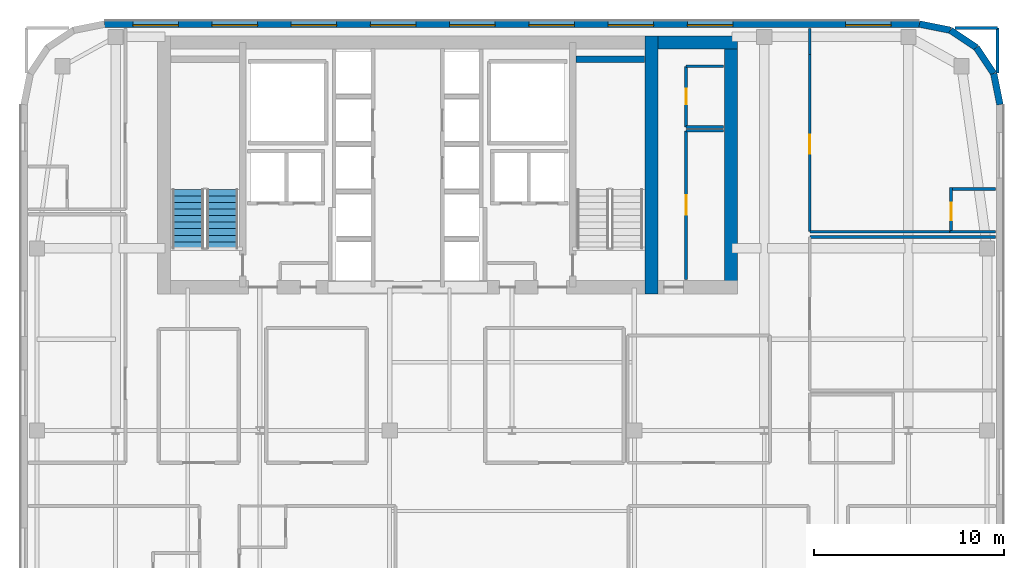
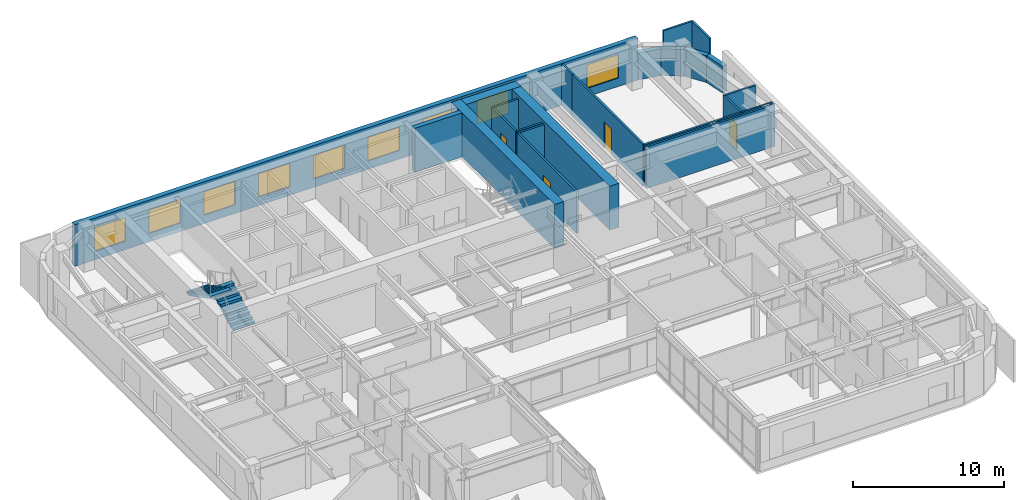
# One storey, part 14 of 20: 23 walls, 9 windows, 4 doors, 2 stair flights, 13 openings, 1 element without a shape of its own.
"""IFC4 building model written with IfcOpenShell, lengths in metres."""

from ifc_helpers import new_model, si_unit, direction, frame, frame_2d, origin, place, context, subcontext, project, spatial, polyline, rectangle, outline, extrude, source, transform, mapped, material, layer, layer_set, type_object, type_shapes, element, fill, aggregate, save


model = new_model("IFC4")

# Units and contexts
model_context = context("Model", 3, precision=1e-05, world=origin(), true_north=direction((0.0, 1.0)))
body_context = subcontext(model_context, "Body", "Model", "MODEL_VIEW")
ifc_project = project(units=[si_unit("LENGTHUNIT", "METRE"), si_unit("AREAUNIT", "SQUARE_METRE"), si_unit("VOLUMEUNIT", "CUBIC_METRE"), si_unit("PLANEANGLEUNIT", "RADIAN"), si_unit("MASSUNIT", "GRAM", prefix="KILO")], contexts=[model_context])

# Site, building, storey
site_placement = place(None, origin())
site = spatial("IfcSite", under=ifc_project, at=site_placement, CompositionType="ELEMENT")
building_placement = place(site_placement, origin())
building = spatial("IfcBuilding", under=site, at=building_placement, Name="Tolvann Quenvar Hotel", CompositionType="ELEMENT")
storey_placement = place(building_placement, frame((0.0, 0.0, 191.10009765625)))
storey = spatial("IfcBuildingStorey", under=building, at=storey_placement, Name="L50", CompositionType="ELEMENT", Elevation=191.10009765625)

# Walls
ifc_material_1 = material(Name="Concrete S65 (65 MPa)", Category="concrete")
ifc_layer_1 = layer(ifc_material_1, 0.699951171875)
ifc_layer_set_1 = layer_set([ifc_layer_1], Name="Concrete S65 (65 MPa)")
wall_type_1 = type_object("IfcWallType", Name="WALL_CORE_700", PredefinedType="SHEAR", material=ifc_layer_set_1)
wall_1_placement = place(storey_placement, frame((35.85009765625, 31.60009765625, 0.0), z_axis=(0.0, 0.0, 1.0), x_axis=(0.0, 1.0, 0.0)))
element("IfcWall", 1, at=wall_1_placement, inside=storey, type_object=wall_type_1, Name="Rear Core E Shear Wall (L50)", PredefinedType="SHEAR", context=body_context, shape_type="SweptSolid", body=[
    extrude(rectangle(XDim=13.599853515625, YDim=0.699951171875, at=frame_2d((6.7998046875, 0.0))), origin(), (0.0, 0.0, 1.0), 3.5498046875),
])
wall_2_placement = place(storey_placement, frame((36.199951171875, 44.85009765625, 0.0), z_axis=(0.0, 0.0, 1.0), x_axis=(1.0, 0.0, 0.0)))
element("IfcWall", 2, at=wall_2_placement, inside=storey, type_object=wall_type_1, Name="Core East Annex Shear Wall ANN-N (L50)", PredefinedType="SHEAR", context=body_context, shape_type="SweptSolid", body=[
    extrude(rectangle(XDim=4.199951171875, YDim=0.699951171875, at=frame_2d((2.10009765625, 0.0))), origin(), (0.0, 0.0, 1.0), 3.5498046875),
])
wall_3_placement = place(storey_placement, frame((40.050048828125, 31.60009765625, 0.0), z_axis=(0.0, 0.0, 1.0), x_axis=(0.0, 1.0, 0.0)))
element("IfcWall", 3, at=wall_3_placement, inside=storey, type_object=wall_type_1, Name="Core East Annex Shear Wall ANN-E (L50)", PredefinedType="SHEAR", context=body_context, shape_type="SweptSolid", body=[
    extrude(rectangle(XDim=13.599853515625, YDim=0.699951171875, at=frame_2d((6.7998046875, 0.0))), origin(), (0.0, 0.0, 1.0), 3.5498046875),
])
ifc_layer_2 = layer(ifc_material_1, 0.35009765625)
ifc_layer_set_2 = layer_set([ifc_layer_2], Name="Concrete S65 (65 MPa)")
wall_type_2 = type_object("IfcWallType", Name="WALL_CORE_INT_350", PredefinedType="SHEAR", material=ifc_layer_set_2)
wall_4_placement = place(storey_placement, frame((31.8798828125, 43.97509765625, 0.0), z_axis=(0.0, 0.0, 1.0), x_axis=(1.0, 0.0, 0.0)))
element("IfcWall", 4, at=wall_4_placement, inside=storey, type_object=wall_type_2, Name="Core Stair North Closing Shear Wall STC2-N (L50)", PredefinedType="SHEAR", context=body_context, shape_type="SweptSolid", body=[
    extrude(rectangle(XDim=3.60009765625, YDim=0.35009765625, at=frame_2d((1.800048828125, 0.0))), origin(), (0.0, 0.0, 1.0), 3.5498046875),
])
ifc_material_2 = material(Name="Kiln-fired red and buff architectural clay brickwork and terracotta masonry", Category="masonry")
ifc_layer_3 = layer(ifc_material_2, 0.35009765625)
ifc_layer_set_3 = layer_set([ifc_layer_3], Name="Kiln-fired red and buff architectural clay brickwork and terracotta masonry")
wall_type_3 = type_object("IfcWallType", Name="WALL_EXT_BRICK_350", PredefinedType="SOLIDWALL", material=ifc_layer_set_3)
wall_5_placement = place(storey_placement, frame((54.22509765625, 41.582763671875, 0.0), z_axis=(0.0, 0.0, 1.0), x_axis=(-0.195044345786, 0.980794424524, 0.0)))
element("IfcWall", 5, at=wall_5_placement, inside=storey, type_object=wall_type_3, Name="Exterior Chicago Brick Wall L50-E14", PredefinedType="SOLIDWALL", context=body_context, shape_type="SweptSolid", body=[
    extrude(rectangle(XDim=1.664794921875, YDim=0.35009765625, at=frame_2d((0.83251953125, 0.0))), origin(), (0.0, 0.0, 1.0), 2.159912109375),
])
for number, where, z_axis, x_axis, name in (
    (6, (53.900390625, 43.215576171875, 0.0), (0.0, 0.0, 1.0), (-0.555623290322, 0.831434158098, 0.0), "Exterior Chicago Brick Wall L50-E15"),
    (7, (52.985107421875, 44.585205078125, 0.0), (0.0, 0.0, 1.0), (-0.831502623162, 0.555520825599, 0.0), "Exterior Chicago Brick Wall L50-E16"),
):
    element("IfcWall", number, at=place(storey_placement, frame(where, z_axis=z_axis, x_axis=x_axis)), inside=storey, type_object=wall_type_3, Name=name, PredefinedType="SOLIDWALL", context=body_context, shape_type="SweptSolid", body=[
        extrude(rectangle(XDim=1.647216796875, YDim=0.35009765625, at=frame_2d((0.82373046875, 0.0))), origin(), (0.0, 0.0, 1.0), 2.159912109375),
    ])
wall_6_placement = place(storey_placement, frame((51.615478515625, 45.500244140625, 0.0), z_axis=(0.0, 0.0, 1.0), x_axis=(-0.980788844421, 0.195072403631, 0.0)))
element("IfcWall", 8, at=wall_6_placement, inside=storey, type_object=wall_type_3, Name="Exterior Chicago Brick Wall L50-E17", PredefinedType="SOLIDWALL", context=body_context, shape_type="SweptSolid", body=[
    extrude(rectangle(XDim=1.66455078125, YDim=0.35009765625, at=frame_2d((0.832275390625, 0.0))), origin(), (0.0, 0.0, 1.0), 2.159912109375),
])

# Wall, openings, windows
wall_7_placement = place(storey_placement, frame((49.98291015625, 45.824951171875, 0.0), z_axis=(0.0, 0.0, 1.0), x_axis=(-1.0, 0.0, 0.0)))
wall_7 = element("IfcWall", 9, at=wall_7_placement, inside=storey, type_object=wall_type_3, Name="Exterior Chicago Brick Wall L50-E18", PredefinedType="SOLIDWALL", context=body_context, shape_type="SweptSolid", body=[
    extrude(rectangle(XDim=42.9658203125, YDim=0.35009765625, at=frame_2d((21.48291015625, 0.0))), origin(), (0.0, 0.0, 1.0), 3.369873046875),
])
opening_1_placement = place(wall_7_placement, frame((1.488037109375, 0.0, 0.679931640625)))
opening_1 = element("IfcOpeningElement", 10, at=opening_1_placement, cuts=wall_7, Name="Opening W-01", PredefinedType="OPENING", context=body_context, shape_type="SweptSolid", body=[
    extrude(rectangle(XDim=2.39990234375, YDim=1.89990234375, at=frame_2d((1.199951171875, 0.949951171875))), frame((0.0, 0.18505859375, 0.0), z_axis=(0.0, -1.0, 0.0), x_axis=(1.0, 0.0, 0.0)), (0.0, 0.0, 1.0), 0.3701171875),
])
opening_2_placement = place(wall_7_placement, frame((9.841064453125, 0.0, 0.679931640625)))
opening_2 = element("IfcOpeningElement", 11, at=opening_2_placement, cuts=wall_7, Name="Opening W-01", PredefinedType="OPENING", context=body_context, shape_type="SweptSolid", body=[
    extrude(rectangle(XDim=2.39990234375, YDim=1.89990234375, at=frame_2d((1.199951171875, 0.949951171875))), frame((0.0, 0.18505859375, 0.0), z_axis=(0.0, -1.0, 0.0), x_axis=(1.0, 0.0, 0.0)), (0.0, 0.0, 1.0), 0.3701171875),
])
opening_3_placement = place(wall_7_placement, frame((14.01806640625, 0.0, 0.679931640625)))
opening_3 = element("IfcOpeningElement", 12, at=opening_3_placement, cuts=wall_7, Name="Opening W-01", PredefinedType="OPENING", context=body_context, shape_type="SweptSolid", body=[
    extrude(rectangle(XDim=2.39990234375, YDim=1.89990234375, at=frame_2d((1.199951171875, 0.949951171875))), frame((0.0, 0.18505859375, 0.0), z_axis=(0.0, -1.0, 0.0), x_axis=(1.0, 0.0, 0.0)), (0.0, 0.0, 1.0), 0.3701171875),
])
opening_4_placement = place(wall_7_placement, frame((18.195068359375, 0.0, 0.679931640625)))
opening_4 = element("IfcOpeningElement", 13, at=opening_4_placement, cuts=wall_7, Name="Opening W-01", PredefinedType="OPENING", context=body_context, shape_type="SweptSolid", body=[
    extrude(rectangle(XDim=2.39990234375, YDim=1.89990234375, at=frame_2d((1.199951171875, 0.949951171875))), frame((0.0, 0.18505859375, 0.0), z_axis=(0.0, -1.0, 0.0), x_axis=(1.0, 0.0, 0.0)), (0.0, 0.0, 1.0), 0.3701171875),
])
opening_5_placement = place(wall_7_placement, frame((22.37109375, 0.0, 0.679931640625)))
opening_5 = element("IfcOpeningElement", 14, at=opening_5_placement, cuts=wall_7, Name="Opening W-01", PredefinedType="OPENING", context=body_context, shape_type="SweptSolid", body=[
    extrude(rectangle(XDim=2.39990234375, YDim=1.89990234375, at=frame_2d((1.199951171875, 0.949951171875))), frame((0.0, 0.18505859375, 0.0), z_axis=(0.0, -1.0, 0.0), x_axis=(1.0, 0.0, 0.0)), (0.0, 0.0, 1.0), 0.3701171875),
])
opening_6_placement = place(wall_7_placement, frame((26.548095703125, 0.0, 0.679931640625)))
opening_6 = element("IfcOpeningElement", 15, at=opening_6_placement, cuts=wall_7, Name="Opening W-01", PredefinedType="OPENING", context=body_context, shape_type="SweptSolid", body=[
    extrude(rectangle(XDim=2.39990234375, YDim=1.89990234375, at=frame_2d((1.199951171875, 0.949951171875))), frame((0.0, 0.18505859375, 0.0), z_axis=(0.0, -1.0, 0.0), x_axis=(1.0, 0.0, 0.0)), (0.0, 0.0, 1.0), 0.3701171875),
])
opening_7_placement = place(wall_7_placement, frame((30.72412109375, 0.0, 0.679931640625)))
opening_7 = element("IfcOpeningElement", 16, at=opening_7_placement, cuts=wall_7, Name="Opening W-01", PredefinedType="OPENING", context=body_context, shape_type="SweptSolid", body=[
    extrude(rectangle(XDim=2.39990234375, YDim=1.89990234375, at=frame_2d((1.199951171875, 0.949951171875))), frame((0.0, 0.18505859375, 0.0), z_axis=(0.0, -1.0, 0.0), x_axis=(1.0, 0.0, 0.0)), (0.0, 0.0, 1.0), 0.3701171875),
])
opening_8_placement = place(wall_7_placement, frame((34.90087890625, 0.0, 0.679931640625)))
opening_8 = element("IfcOpeningElement", 17, at=opening_8_placement, cuts=wall_7, Name="Opening W-01", PredefinedType="OPENING", context=body_context, shape_type="SweptSolid", body=[
    extrude(rectangle(XDim=2.39990234375, YDim=1.89990234375, at=frame_2d((1.199951171875, 0.949951171875))), frame((0.0, 0.18505859375, 0.0), z_axis=(0.0, -1.0, 0.0), x_axis=(1.0, 0.0, 0.0)), (0.0, 0.0, 1.0), 0.3701171875),
])
opening_9_placement = place(wall_7_placement, frame((39.076904296875, 0.0, 0.679931640625)))
opening_9 = element("IfcOpeningElement", 18, at=opening_9_placement, cuts=wall_7, Name="Opening W-01", PredefinedType="OPENING", context=body_context, shape_type="SweptSolid", body=[
    extrude(rectangle(XDim=2.39990234375, YDim=1.89990234375, at=frame_2d((1.199951171875, 0.949951171875))), frame((0.0, 0.18505859375, 0.0), z_axis=(0.0, -1.0, 0.0), x_axis=(1.0, 0.0, 0.0)), (0.0, 0.0, 1.0), 0.3701171875),
])
ifc_material_3 = material(Name="Thermally broken bronze-anodised aluminium frame with double low-E glazing", Category="aluminium")
window_type = type_object("IfcWindowType", Name="WIN_CHI_2400x2050", PartitioningType="TRIPLE_PANEL_HORIZONTAL", PredefinedType="WINDOW", material=ifc_material_3)
shared_shape_1 = source(origin(), body_context, "Body", "SweptSolid", [
    extrude(rectangle(XDim=2.39990234375, YDim=1.89990234375, at=frame_2d((1.199951171875, 0.949951171875))), frame((0.0, 0.090087890625, 0.0), z_axis=(0.0, -1.0, 0.0), x_axis=(1.0, 0.0, 0.0)), (0.0, 0.0, 1.0), 0.06005859375),
])
type_shapes(window_type, [shared_shape_1])
window_1_placement = place(opening_1_placement, origin())
window_1 = element("IfcWindow", 19, at=window_1_placement, inside=storey, type_object=window_type, Name="Chicago Window W-01 (EW-L50-E18-W01)", OverallHeight=1.89990234375, OverallWidth=2.39990234375, PartitioningType="TRIPLE_PANEL_HORIZONTAL", PredefinedType="WINDOW", context=body_context, shape_type="MappedRepresentation", body=[
    mapped(shared_shape_1, transform((0.0, 0.0, 0.0), x_axis=(1.0, 0.0, 0.0), y_axis=(0.0, 1.0, 0.0), z_axis=(0.0, 0.0, 1.0), scale=1.0)),
])
fill(opening_1, window_1)
window_2_placement = place(opening_2_placement, origin())
window_2 = element("IfcWindow", 20, at=window_2_placement, inside=storey, type_object=window_type, Name="Chicago Window W-01 (EW-L50-E18-W02)", OverallHeight=1.89990234375, OverallWidth=2.39990234375, PartitioningType="TRIPLE_PANEL_HORIZONTAL", PredefinedType="WINDOW", context=body_context, shape_type="MappedRepresentation", body=[
    mapped(shared_shape_1, transform((0.0, 0.0, 0.0), x_axis=(1.0, 0.0, 0.0), y_axis=(0.0, 1.0, 0.0), z_axis=(0.0, 0.0, 1.0), scale=1.0)),
])
fill(opening_2, window_2)
window_3_placement = place(opening_3_placement, origin())
window_3 = element("IfcWindow", 21, at=window_3_placement, inside=storey, type_object=window_type, Name="Chicago Window W-01 (EW-L50-E18-W03)", OverallHeight=1.89990234375, OverallWidth=2.39990234375, PartitioningType="TRIPLE_PANEL_HORIZONTAL", PredefinedType="WINDOW", context=body_context, shape_type="MappedRepresentation", body=[
    mapped(shared_shape_1, transform((0.0, 0.0, 0.0), x_axis=(1.0, 0.0, 0.0), y_axis=(0.0, 1.0, 0.0), z_axis=(0.0, 0.0, 1.0), scale=1.0)),
])
fill(opening_3, window_3)
window_4_placement = place(opening_4_placement, origin())
window_4 = element("IfcWindow", 22, at=window_4_placement, inside=storey, type_object=window_type, Name="Chicago Window W-01 (EW-L50-E18-W04)", OverallHeight=1.89990234375, OverallWidth=2.39990234375, PartitioningType="TRIPLE_PANEL_HORIZONTAL", PredefinedType="WINDOW", context=body_context, shape_type="MappedRepresentation", body=[
    mapped(shared_shape_1, transform((0.0, 0.0, 0.0), x_axis=(1.0, 0.0, 0.0), y_axis=(0.0, 1.0, 0.0), z_axis=(0.0, 0.0, 1.0), scale=1.0)),
])
fill(opening_4, window_4)
window_5_placement = place(opening_5_placement, origin())
window_5 = element("IfcWindow", 23, at=window_5_placement, inside=storey, type_object=window_type, Name="Chicago Window W-01 (EW-L50-E18-W05)", OverallHeight=1.89990234375, OverallWidth=2.39990234375, PartitioningType="TRIPLE_PANEL_HORIZONTAL", PredefinedType="WINDOW", context=body_context, shape_type="MappedRepresentation", body=[
    mapped(shared_shape_1, transform((0.0, 0.0, 0.0), x_axis=(1.0, 0.0, 0.0), y_axis=(0.0, 1.0, 0.0), z_axis=(0.0, 0.0, 1.0), scale=1.0)),
])
fill(opening_5, window_5)
window_6_placement = place(opening_6_placement, origin())
window_6 = element("IfcWindow", 24, at=window_6_placement, inside=storey, type_object=window_type, Name="Chicago Window W-01 (EW-L50-E18-W06)", OverallHeight=1.89990234375, OverallWidth=2.39990234375, PartitioningType="TRIPLE_PANEL_HORIZONTAL", PredefinedType="WINDOW", context=body_context, shape_type="MappedRepresentation", body=[
    mapped(shared_shape_1, transform((0.0, 0.0, 0.0), x_axis=(1.0, 0.0, 0.0), y_axis=(0.0, 1.0, 0.0), z_axis=(0.0, 0.0, 1.0), scale=1.0)),
])
fill(opening_6, window_6)
window_7_placement = place(opening_7_placement, origin())
window_7 = element("IfcWindow", 25, at=window_7_placement, inside=storey, type_object=window_type, Name="Chicago Window W-01 (EW-L50-E18-W07)", OverallHeight=1.89990234375, OverallWidth=2.39990234375, PartitioningType="TRIPLE_PANEL_HORIZONTAL", PredefinedType="WINDOW", context=body_context, shape_type="MappedRepresentation", body=[
    mapped(shared_shape_1, transform((0.0, 0.0, 0.0), x_axis=(1.0, 0.0, 0.0), y_axis=(0.0, 1.0, 0.0), z_axis=(0.0, 0.0, 1.0), scale=1.0)),
])
fill(opening_7, window_7)
window_8_placement = place(opening_8_placement, origin())
window_8 = element("IfcWindow", 26, at=window_8_placement, inside=storey, type_object=window_type, Name="Chicago Window W-01 (EW-L50-E18-W08)", OverallHeight=1.89990234375, OverallWidth=2.39990234375, PartitioningType="TRIPLE_PANEL_HORIZONTAL", PredefinedType="WINDOW", context=body_context, shape_type="MappedRepresentation", body=[
    mapped(shared_shape_1, transform((0.0, 0.0, 0.0), x_axis=(1.0, 0.0, 0.0), y_axis=(0.0, 1.0, 0.0), z_axis=(0.0, 0.0, 1.0), scale=1.0)),
])
fill(opening_8, window_8)
window_9_placement = place(opening_9_placement, origin())
window_9 = element("IfcWindow", 27, at=window_9_placement, inside=storey, type_object=window_type, Name="Chicago Window W-01 (EW-L50-E18-W09)", OverallHeight=1.89990234375, OverallWidth=2.39990234375, PartitioningType="TRIPLE_PANEL_HORIZONTAL", PredefinedType="WINDOW", context=body_context, shape_type="MappedRepresentation", body=[
    mapped(shared_shape_1, transform((0.0, 0.0, 0.0), x_axis=(1.0, 0.0, 0.0), y_axis=(0.0, 1.0, 0.0), z_axis=(0.0, 0.0, 1.0), scale=1.0)),
])
fill(opening_9, window_9)

# Wall
ifc_material_4 = material(Name="Moisture-resistant acoustic plumbing wall assembly")
ifc_layer_4 = layer(ifc_material_4, 0.1201171875)
ifc_layer_set_4 = layer_set([ifc_layer_4], Name="Moisture-resistant acoustic plumbing wall assembly")
wall_type_4 = type_object("IfcWallType", Name="WALL_PART_BATH_120", PredefinedType="PLUMBINGWALL", material=ifc_layer_set_4)
wall_8_placement = place(storey_placement, frame((51.580078125, 34.8798828125, 0.0), z_axis=(0.0, 0.0, 1.0), x_axis=(1.0, 0.0, 0.0)))
element("IfcWall", 28, at=wall_8_placement, inside=storey, type_object=wall_type_4, Name="Non-Rated Plumbing Partition PT-SPC-L50-ENS-NE01-S", PredefinedType="PLUMBINGWALL", context=body_context, shape_type="SweptSolid", body=[
    extrude(rectangle(XDim=2.4150390625, YDim=0.1201171875, at=frame_2d((1.20751953125, 0.0))), origin(), (0.0, 0.0, 1.0), 3.369873046875),
])

# Wall, opening, door
ifc_material_5 = material(Name="Acoustic twin-stud fire-rated gypsum plasterboard partition")
ifc_layer_5 = layer(ifc_material_5, 0.14990234375)
ifc_layer_set_5 = layer_set([ifc_layer_5], Name="Acoustic twin-stud fire-rated gypsum plasterboard partition")
wall_type_5 = type_object("IfcWallType", Name="WALL_PART_SUITE_150", PredefinedType="PARTITIONING", material=ifc_layer_set_5)
wall_9_placement = place(storey_placement, frame((51.64990234375, 34.81005859375, 0.0), z_axis=(0.0, 0.0, 1.0), x_axis=(0.0, 1.0, 0.0)))
wall_9 = element("IfcWall", 29, at=wall_9_placement, inside=storey, type_object=wall_type_5, Name="Interior Partition PT-SPC-L50-ENS-NE01-ENT", PredefinedType="PARTITIONING", context=body_context, shape_type="SweptSolid", body=[
    extrude(rectangle(XDim=2.389892578125, YDim=0.14990234375, at=frame_2d((1.19482421875, 0.0))), origin(), (0.0, 0.0, 1.0), 3.369873046875),
])
opening_10_placement = place(wall_9_placement, frame((0.6650390625, 0.0, 0.0)))
opening_10 = element("IfcOpeningElement", 30, at=opening_10_placement, cuts=wall_9, Name="Opening WD-01", PredefinedType="OPENING", context=body_context, shape_type="SweptSolid", body=[
    extrude(rectangle(XDim=0.919921875, YDim=2.010009765625, at=frame_2d((0.4599609375, 1.0048828125))), frame((0.0, 0.0849609375, 0.0), z_axis=(0.0, -1.0, 0.0), x_axis=(1.0, 0.0, 0.0)), (0.0, 0.0, 1.0), 0.169921875),
])
ifc_material_6 = material(Name="Solid-core American oak acoustic fire door leaf in steel frame", Category="steel")
door_type_1 = type_object("IfcDoorType", Name="DOOR_WC_920", OperationType="NOTDEFINED", PredefinedType="DOOR", material=ifc_material_6)
shared_shape_2 = source(origin(), body_context, "Body", "SweptSolid", [
    extrude(rectangle(XDim=0.919921875, YDim=2.010009765625, at=frame_2d((0.4599609375, 1.0048828125))), frame((0.0, 0.02490234375, 0.0), z_axis=(0.0, -1.0, 0.0), x_axis=(1.0, 0.0, 0.0)), (0.0, 0.0, 1.0), 0.050048828125),
])
type_shapes(door_type_1, [shared_shape_2])
door_1_placement = place(opening_10_placement, origin())
door_1 = element("IfcDoor", 31, at=door_1_placement, inside=storey, type_object=door_type_1, Name="Interior Door DOOR-SPC-L50-ENS-NE01", OperationType="SINGLE_SWING_RIGHT", OverallHeight=2.010009765625, OverallWidth=0.919921875, PredefinedType="DOOR", context=body_context, shape_type="MappedRepresentation", body=[
    mapped(shared_shape_2, transform((0.0, 0.0, 0.0), x_axis=(1.0, 0.0, 0.0), y_axis=(0.0, 1.0, 0.0), z_axis=(0.0, 0.0, 1.0), scale=1.0)),
])
fill(opening_10, door_1)

# Walls
wall_10_placement = place(storey_placement, frame((51.580078125, 37.1298828125, 0.0), z_axis=(0.0, 0.0, 1.0), x_axis=(1.0, 0.0, 0.0)))
element("IfcWall", 32, at=wall_10_placement, inside=storey, type_object=wall_type_5, Name="Interior Partition PT-SPC-L50-ENS-NE01-N", PredefinedType="PARTITIONING", context=body_context, shape_type="SweptSolid", body=[
    extrude(rectangle(XDim=2.4150390625, YDim=0.14990234375, at=frame_2d((1.20751953125, 0.0))), origin(), (0.0, 0.0, 1.0), 3.369873046875),
])
wall_11_placement = place(storey_placement, frame((37.679931640625, 40.199951171875, 0.0), z_axis=(0.0, 0.0, 1.0), x_axis=(1.0, 0.0, 0.0)))
element("IfcWall", 33, at=wall_11_placement, inside=storey, type_object=wall_type_5, Name="Interior Partition PT-SPC-L50-RECPL-1-N", PredefinedType="PARTITIONING", context=body_context, shape_type="SweptSolid", body=[
    extrude(rectangle(XDim=1.965087890625, YDim=0.14990234375, at=frame_2d((0.982421875, 0.0))), origin(), (0.0, 0.0, 1.0), 3.369873046875),
])

# Wall, opening, door
wall_12_placement = place(storey_placement, frame((37.679931640625, 32.35498046875, 0.0), z_axis=(0.0, 0.0, 1.0), x_axis=(0.0, 1.0, 0.0)))
wall_12 = element("IfcWall", 34, at=wall_12_placement, inside=storey, type_object=wall_type_5, Name="Interior Partition PT-SPC-L50-RECPL-1-W", PredefinedType="PARTITIONING", context=body_context, shape_type="SweptSolid", body=[
    extrude(rectangle(XDim=7.844970703125, YDim=0.14990234375, at=frame_2d((3.92236328125, 0.0))), origin(), (0.0, 0.0, 1.0), 3.369873046875),
])
opening_11_placement = place(wall_12_placement, frame((3.41259765625, 0.0, 0.0)))
opening_11 = element("IfcOpeningElement", 35, at=opening_11_placement, cuts=wall_12, Name="Opening HD-01", PredefinedType="OPENING", context=body_context, shape_type="SweptSolid", body=[
    extrude(rectangle(XDim=1.02001953125, YDim=2.030029296875, at=frame_2d((0.510009765625, 1.01513671875))), frame((0.0, 0.0849609375, 0.0), z_axis=(0.0, -1.0, 0.0), x_axis=(1.0, 0.0, 0.0)), (0.0, 0.0, 1.0), 0.169921875),
])
ifc_material_7 = material(Name="Pressed galvanised steel fire-rated door set", Category="steel")
door_type_2 = type_object("IfcDoorType", Name="DOOR_BOH_1020", OperationType="NOTDEFINED", PredefinedType="DOOR", material=ifc_material_7)
shared_shape_3 = source(origin(), body_context, "Body", "SweptSolid", [
    extrude(rectangle(XDim=1.02001953125, YDim=2.030029296875, at=frame_2d((0.510009765625, 1.01513671875))), frame((0.0, 0.02490234375, 0.0), z_axis=(0.0, -1.0, 0.0), x_axis=(1.0, 0.0, 0.0)), (0.0, 0.0, 1.0), 0.050048828125),
])
type_shapes(door_type_2, [shared_shape_3])
door_2_placement = place(opening_11_placement, origin())
door_2 = element("IfcDoor", 36, at=door_2_placement, inside=storey, type_object=door_type_2, Name="Interior Door DOOR-SPC-L50-RECPL-1", OperationType="SINGLE_SWING_LEFT", OverallHeight=2.030029296875, OverallWidth=1.02001953125, PredefinedType="DOOR", context=body_context, shape_type="MappedRepresentation", body=[
    mapped(shared_shape_3, transform((0.0, 0.0, 0.0), x_axis=(1.0, 0.0, 0.0), y_axis=(0.0, 1.0, 0.0), z_axis=(0.0, 0.0, 1.0), scale=1.0)),
])
fill(opening_11, door_2)

# Walls
for number, where, z_axis, x_axis, name in (
    (37, (37.679931640625, 40.39990234375, 0.0), (0.0, 0.0, 1.0), (1.0, 0.0, 0.0), "Interior Partition PT-SPC-L50-CSE-1-S"),
    (38, (37.679931640625, 43.60009765625, 0.0), (0.0, 0.0, 1.0), (1.0, 0.0, 0.0), "Interior Partition PT-SPC-L50-CSE-1-N"),
):
    element("IfcWall", number, at=place(storey_placement, frame(where, z_axis=z_axis, x_axis=x_axis)), inside=storey, type_object=wall_type_5, Name=name, PredefinedType="PARTITIONING", context=body_context, shape_type="SweptSolid", body=[
        extrude(rectangle(XDim=1.965087890625, YDim=0.14990234375, at=frame_2d((0.982421875, 0.0))), origin(), (0.0, 0.0, 1.0), 3.369873046875),
    ])

# Wall, opening, door
wall_13_placement = place(storey_placement, frame((37.679931640625, 40.39990234375, 0.0), z_axis=(0.0, 0.0, 1.0), x_axis=(0.0, 1.0, 0.0)))
wall_13 = element("IfcWall", 39, at=wall_13_placement, inside=storey, type_object=wall_type_5, Name="Interior Partition PT-SPC-L50-CSE-1-W", PredefinedType="PARTITIONING", context=body_context, shape_type="SweptSolid", body=[
    extrude(rectangle(XDim=3.2001953125, YDim=0.14990234375, at=frame_2d((1.60009765625, 0.0))), origin(), (0.0, 0.0, 1.0), 3.369873046875),
])
opening_12_placement = place(wall_13_placement, frame((1.18994140625, 0.0, 0.0)))
opening_12 = element("IfcOpeningElement", 40, at=opening_12_placement, cuts=wall_13, Name="Opening HD-02", PredefinedType="OPENING", context=body_context, shape_type="SweptSolid", body=[
    extrude(rectangle(XDim=0.820068359375, YDim=2.010009765625, at=frame_2d((0.41015625, 1.0048828125))), frame((0.0, 0.0849609375, 0.0), z_axis=(0.0, -1.0, 0.0), x_axis=(1.0, 0.0, 0.0)), (0.0, 0.0, 1.0), 0.169921875),
])
door_type_3 = type_object("IfcDoorType", Name="DOOR_STORE_820", OperationType="NOTDEFINED", PredefinedType="DOOR", material=ifc_material_7)
shared_shape_4 = source(origin(), body_context, "Body", "SweptSolid", [
    extrude(rectangle(XDim=0.820068359375, YDim=2.010009765625, at=frame_2d((0.41015625, 1.0048828125))), frame((0.0, 0.02490234375, 0.0), z_axis=(0.0, -1.0, 0.0), x_axis=(1.0, 0.0, 0.0)), (0.0, 0.0, 1.0), 0.050048828125),
])
type_shapes(door_type_3, [shared_shape_4])
door_3_placement = place(opening_12_placement, origin())
door_3 = element("IfcDoor", 41, at=door_3_placement, inside=storey, type_object=door_type_3, Name="Interior Door DOOR-SPC-L50-CSE-1", OperationType="SINGLE_SWING_RIGHT", OverallHeight=2.010009765625, OverallWidth=0.820068359375, PredefinedType="DOOR", context=body_context, shape_type="MappedRepresentation", body=[
    mapped(shared_shape_4, transform((0.0, 0.0, 0.0), x_axis=(1.0, 0.0, 0.0), y_axis=(0.0, 1.0, 0.0), z_axis=(0.0, 0.0, 1.0), scale=1.0)),
])
fill(opening_12, door_3)

# Wall
wall_14_placement = place(storey_placement, frame((44.199951171875, 34.60009765625, 0.0), z_axis=(0.0, 0.0, 1.0), x_axis=(1.0, 0.0, 0.0)))
element("IfcWall", 42, at=wall_14_placement, inside=storey, type_object=wall_type_5, Name="Interior Partition PT-SPC-L50-SPA-N", PredefinedType="PARTITIONING", context=body_context, shape_type="SweptSolid", body=[
    extrude(rectangle(XDim=9.795166015625, YDim=0.14990234375, at=frame_2d((4.8974609375, 0.0))), origin(), (0.0, 0.0, 1.0), 3.369873046875),
])

# Wall, opening, door
wall_15_placement = place(storey_placement, frame((44.199951171875, 34.8798828125, 0.0), z_axis=(0.0, 0.0, 1.0), x_axis=(0.0, 1.0, 0.0)))
wall_15 = element("IfcWall", 43, at=wall_15_placement, inside=storey, type_object=wall_type_5, Name="Interior Partition PT-SPC-L50-RM-NE01-ENT", PredefinedType="PARTITIONING", context=body_context, shape_type="SweptSolid", body=[
    extrude(rectangle(XDim=9.330078125, YDim=0.14990234375, at=frame_2d((4.6650390625, 0.0))), origin(), (0.0, 0.0, 1.0), 3.369873046875),
])
opening_13_placement = place(wall_15_placement, frame((4.1201171875, 0.0, 0.0)))
opening_13 = element("IfcOpeningElement", 44, at=opening_13_placement, cuts=wall_15, Name="Opening SD-01", PredefinedType="OPENING", context=body_context, shape_type="SweptSolid", body=[
    extrude(rectangle(XDim=0.97998046875, YDim=2.1201171875, at=frame_2d((0.489990234375, 1.06005859375))), frame((0.0, 0.0849609375, 0.0), z_axis=(0.0, -1.0, 0.0), x_axis=(1.0, 0.0, 0.0)), (0.0, 0.0, 1.0), 0.169921875),
])
door_type_4 = type_object("IfcDoorType", Name="DOOR_SUITE_980", OperationType="NOTDEFINED", PredefinedType="DOOR", material=ifc_material_6)
shared_shape_5 = source(origin(), body_context, "Body", "SweptSolid", [
    extrude(rectangle(XDim=0.97998046875, YDim=2.1201171875, at=frame_2d((0.489990234375, 1.06005859375))), frame((0.0, 0.02490234375, 0.0), z_axis=(0.0, -1.0, 0.0), x_axis=(1.0, 0.0, 0.0)), (0.0, 0.0, 1.0), 0.050048828125),
])
type_shapes(door_type_4, [shared_shape_5])
door_4_placement = place(opening_13_placement, origin())
door_4 = element("IfcDoor", 45, at=door_4_placement, inside=storey, type_object=door_type_4, Name="Interior Door DOOR-SPC-L50-RM-NE01", OperationType="SINGLE_SWING_LEFT", OverallHeight=2.1201171875, OverallWidth=0.97998046875, PredefinedType="DOOR", context=body_context, shape_type="MappedRepresentation", body=[
    mapped(shared_shape_5, transform((0.0, 0.0, 0.0), x_axis=(1.0, 0.0, 0.0), y_axis=(0.0, 1.0, 0.0), z_axis=(0.0, 0.0, 1.0), scale=1.0)),
])
fill(opening_13, door_4)

# Walls
wall_16_placement = place(storey_placement, frame((44.199951171875, 34.8798828125, 0.0), z_axis=(0.0, 0.0, 1.0), x_axis=(1.0, 0.0, 0.0)))
element("IfcWall", 46, at=wall_16_placement, inside=storey, type_object=wall_type_5, Name="Interior Partition PT-SPC-L50-RM-NE01-E1", PredefinedType="PARTITIONING", context=body_context, shape_type="SweptSolid", body=[
    extrude(rectangle(XDim=7.429931640625, YDim=0.14990234375, at=frame_2d((3.71484375, 0.0))), origin(), (0.0, 0.0, 1.0), 3.369873046875),
])
wall_17_placement = place(storey_placement, frame((54.10009765625, 43.2548828125, 0.0), z_axis=(0.0, 0.0, 1.0), x_axis=(0.0, 1.0, 0.0)))
element("IfcWall", 47, at=wall_17_placement, inside=storey, type_object=wall_type_5, Name="Interior Partition PT-SPC-L50-RM-NE01-E4", PredefinedType="PARTITIONING", context=body_context, shape_type="SweptSolid", body=[
    extrude(rectangle(XDim=2.365234375, YDim=0.14990234375, at=frame_2d((1.1826171875, 0.0))), origin(), (0.0, 0.0, 1.0), 3.369873046875),
])
wall_18_placement = place(storey_placement, frame((51.85009765625, 45.6201171875, 0.0), z_axis=(0.0, 0.0, 1.0), x_axis=(1.0, 0.0, 0.0)))
element("IfcWall", 48, at=wall_18_placement, inside=storey, type_object=wall_type_5, Name="Interior Partition PT-SPC-L50-RM-NE01-E5", PredefinedType="PARTITIONING", context=body_context, shape_type="SweptSolid", body=[
    extrude(rectangle(XDim=2.25, YDim=0.14990234375, at=frame_2d((1.125, 0.0))), origin(), (0.0, 0.0, 1.0), 3.369873046875),
])
wall_19_placement = place(storey_placement, frame((44.199951171875, 44.219970703125, 0.0), z_axis=(0.0, 0.0, 1.0), x_axis=(0.0, 1.0, 0.0)))
element("IfcWall", 49, at=wall_19_placement, inside=storey, type_object=wall_type_5, Name="Interior Partition PT-SPC-L50-RM-NE01-E6", PredefinedType="PARTITIONING", context=body_context, shape_type="SweptSolid", body=[
    extrude(rectangle(XDim=1.375, YDim=0.14990234375, at=frame_2d((0.6875, 0.0))), origin(), (0.0, 0.0, 1.0), 3.369873046875),
])

# Stair, stair flights
ifc_material_8 = material(Name="Concrete N40 (40 MPa)", Category="concrete")
stair_type = type_object("IfcStairType", Name="STAIR", PredefinedType="HALF_TURN_STAIR", material=ifc_material_8)
stair_placement = place(storey_placement, origin())
stair = element("IfcStair", 50, at=stair_placement, inside=storey, type_object=stair_type, Name="L50 ST-C1", PredefinedType="HALF_TURN_STAIR")
stair_flight_type = type_object("IfcStairFlightType", Name="STAIR_FLIGHT", PredefinedType="STRAIGHT", material=ifc_material_8)
stair_flight_1_placement = place(storey_placement, frame((13.22509765625, 34.0, 0.0), z_axis=(0.0, 0.0, 1.0), x_axis=(0.0, 1.0, 0.0)))
stair_flight_1 = element("IfcStairFlight", 51, at=stair_flight_1_placement, type_object=stair_flight_type, Name="ST-C1 flight 1", NumberOfRisers=10, NumberOfTreads=9, PredefinedType="STRAIGHT", RiserHeight=0.1775, TreadLength=0.345, context=body_context, shape_type="SweptSolid", body=[
    extrude(outline(polyline([(0.0, 0.0), (0.0, 0.177490234375), (0.344970703125, 0.177490234375), (0.344970703125, 0.35498046875), (0.68994140625, 0.35498046875), (0.68994140625, 0.532470703125), (1.034912109375, 0.532470703125), (1.034912109375, 0.7099609375), (1.3798828125, 0.7099609375), (1.3798828125, 0.887451171875), (1.72509765625, 0.887451171875), (1.72509765625, 1.06494140625), (2.070068359375, 1.06494140625), (2.070068359375, 1.242431640625), (2.4150390625, 1.242431640625), (2.4150390625, 1.419921875), (2.760009765625, 1.419921875), (2.760009765625, 1.597412109375), (3.10498046875, 1.597412109375), (3.10498046875, 1.77490234375), (3.10498046875, 1.428955078125), (0.32763671875, 0.0), (0.0, 0.0)])), frame((0.0, 0.824951171875, 0.0), z_axis=(0.0, -1.0, 0.0), x_axis=(1.0, 0.0, 0.0)), (0.0, 0.0, 1.0), 1.64990234375),
])
stair_flight_2_placement = place(storey_placement, frame((11.425048828125, 37.10498046875, 1.77490234375), z_axis=(0.0, 0.0, 1.0), x_axis=(0.0, -1.0, 0.0)))
stair_flight_2 = element("IfcStairFlight", 52, at=stair_flight_2_placement, type_object=stair_flight_type, Name="ST-C1 flight 2", NumberOfRisers=10, NumberOfTreads=9, PredefinedType="STRAIGHT", RiserHeight=0.1775, TreadLength=0.345, context=body_context, shape_type="SweptSolid", body=[
    extrude(outline(polyline([(0.0, 0.0), (0.0, 0.177490234375), (0.344970703125, 0.177490234375), (0.344970703125, 0.35498046875), (0.68994140625, 0.35498046875), (0.68994140625, 0.532470703125), (1.034912109375, 0.532470703125), (1.034912109375, 0.7099609375), (1.3798828125, 0.7099609375), (1.3798828125, 0.887451171875), (1.72509765625, 0.887451171875), (1.72509765625, 1.06494140625), (2.070068359375, 1.06494140625), (2.070068359375, 1.242431640625), (2.4150390625, 1.242431640625), (2.4150390625, 1.419921875), (2.760009765625, 1.419921875), (2.760009765625, 1.597412109375), (3.10498046875, 1.597412109375), (3.10498046875, 1.77490234375), (3.10498046875, 1.428955078125), (0.32763671875, 0.0), (0.0, 0.0)])), frame((0.0, 0.824951171875, 0.0), z_axis=(0.0, -1.0, 0.0), x_axis=(1.0, 0.0, 0.0)), (0.0, 0.0, 1.0), 1.64990234375),
])
aggregate(stair, [stair_flight_1, stair_flight_2])

save(model, "model.ifc")
